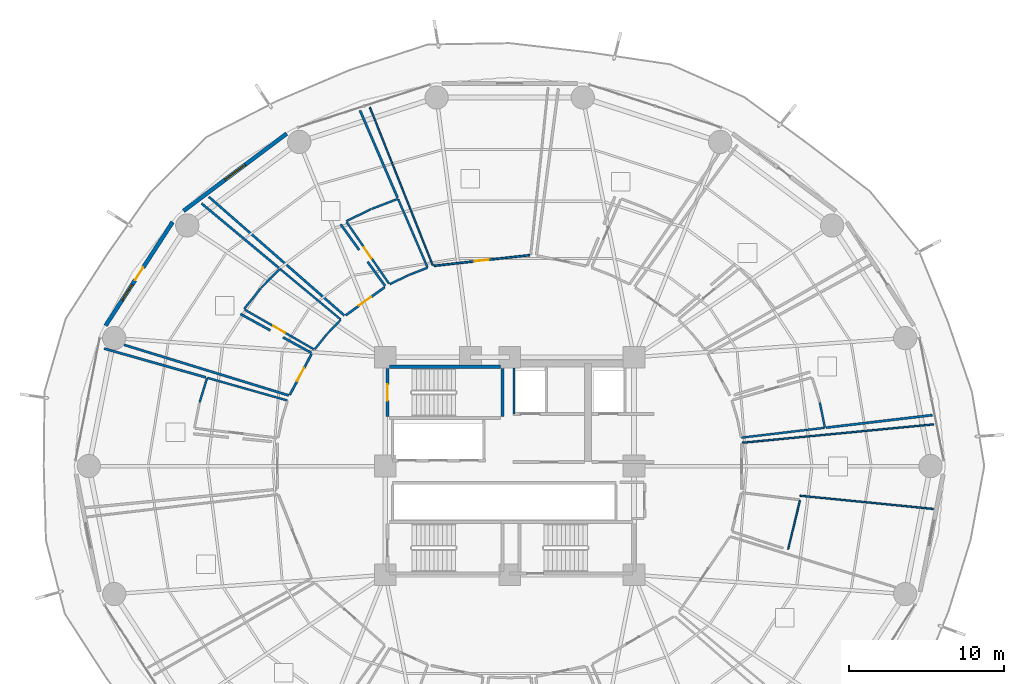
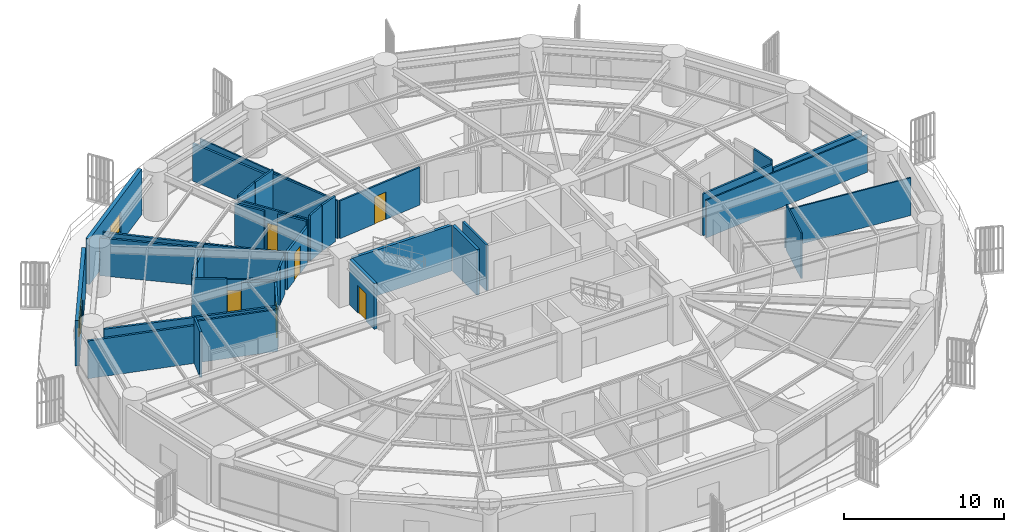
# One storey, part 25 of 32: 39 walls, 7 doors, 2 windows, 9 openings.
"""IFC4 building model written with IfcOpenShell, lengths in metres."""

from ifc_helpers import new_model, si_unit, direction, frame, frame_2d, origin, place, context, subcontext, project, spatial, rectangle, extrude, material, layer, layer_set, type_object, element, fill, save


model = new_model("IFC4")

# Units and contexts
model_context = context("Model", 3, precision=1e-05, world=origin(), true_north=direction((0.0, 1.0)))
body_context = subcontext(model_context, "Body", "Model", "MODEL_VIEW")
ifc_project = project(units=[si_unit("LENGTHUNIT", "METRE"), si_unit("AREAUNIT", "SQUARE_METRE"), si_unit("VOLUMEUNIT", "CUBIC_METRE"), si_unit("PLANEANGLEUNIT", "RADIAN"), si_unit("MASSUNIT", "GRAM", prefix="KILO")], contexts=[model_context])

# Site, building, storey
site_placement = place(None, origin())
site = spatial("IfcSite", under=ifc_project, at=site_placement, CompositionType="ELEMENT")
building_placement = place(site_placement, origin())
building = spatial("IfcBuilding", under=site, at=building_placement, Name="Kelanora Arch Commons", CompositionType="ELEMENT")
storey_placement = place(building_placement, frame((0.0, 0.0, 52.5)))
storey = spatial("IfcBuildingStorey", under=building, at=storey_placement, Name="L13", CompositionType="ELEMENT", Elevation=52.5)

# Wall
ifc_material_1 = material(Name="Autoclaved aerated concrete blockwork with fire plaster", Category="masonry")
ifc_layer_1 = layer(ifc_material_1, 0.14990234375)
ifc_layer_set_1 = layer_set([ifc_layer_1], Name="Autoclaved aerated concrete blockwork with fire plaster")
wall_type_1 = type_object("IfcWallType", Name="W-COMP-150", PredefinedType="PARTITIONING", material=ifc_layer_set_1)
wall_1_placement = place(storey_placement, frame((74.280029296875, 61.35009765625, 0.0), z_axis=(0.0, 0.0, 1.0), x_axis=(0.0, 1.0, 0.0)))
element("IfcWall", 1, at=wall_1_placement, inside=storey, type_object=wall_type_1, Name="Firefighting Lift 1 West Shaft Wall L13", PredefinedType="PARTITIONING", context=body_context, shape_type="SweptSolid", body=[
    extrude(rectangle(XDim=2.969970703125, YDim=0.14990234375, at=frame_2d((1.48486328125, 0.0))), origin(), (0.0, 0.0, 1.0), 3.47998046875),
])

# Wall, opening, door
wall_2_placement = place(storey_placement, frame((65.96337890625, 69.510986328125, 0.0), z_axis=(0.0, 0.0, 1.0), x_axis=(-0.811021116066, -0.585016879496, 0.0)))
wall_2 = element("IfcWall", 2, at=wall_2_placement, inside=storey, type_object=wall_type_1, Name="Co-Living Studio L13-05 Entry Partition", PredefinedType="PARTITIONING", context=body_context, shape_type="SweptSolid", body=[
    extrude(rectangle(XDim=3.105712890625, YDim=0.14990234375, at=frame_2d((1.552734375, 0.0))), origin(), (0.0, 0.0, 1.0), 2.875),
])
opening_1_placement = place(wall_2_placement, frame((1.077880859375, 0.0, 0.0)))
opening_1 = element("IfcOpeningElement", 3, at=opening_1_placement, cuts=wall_2, Name="Opening D-CLU1", PredefinedType="OPENING", context=body_context, shape_type="SweptSolid", body=[
    extrude(rectangle(XDim=0.949951171875, YDim=2.080078125, at=frame_2d((0.47509765625, 1.0400390625))), frame((0.0, 0.0849609375, 0.0), z_axis=(0.0, -1.0, 0.0), x_axis=(1.0, 0.0, 0.0)), (0.0, 0.0, 1.0), 0.169921875),
])
ifc_material_2 = material(Name="Solid-core acoustic timber cluster entry fire door", Category="wood")
door_type_1 = type_object("IfcDoorType", Name="D-CLU-95", OperationType="NOTDEFINED", PredefinedType="DOOR", material=ifc_material_2)
door_1_placement = place(opening_1_placement, origin())
door_1 = element("IfcDoor", 4, at=door_1_placement, inside=storey, type_object=door_type_1, Name="Co-Living Studio L13-05 Door", OperationType="SINGLE_SWING_RIGHT", OverallHeight=2.080078125, OverallWidth=0.949951171875, PredefinedType="DOOR", context=body_context, shape_type="SweptSolid", body=[
    extrude(rectangle(XDim=0.949951171875, YDim=2.080078125, at=frame_2d((0.47509765625, 1.0400390625))), frame((0.0, 0.02490234375, 0.0), z_axis=(0.0, -1.0, 0.0), x_axis=(1.0, 0.0, 0.0)), (0.0, 0.0, 1.0), 0.050048828125),
])
fill(opening_1, door_1)

wall_3_placement = place(storey_placement, frame((61.250732421875, 65.2060546875, 0.0), z_axis=(0.0, 0.0, 1.0), x_axis=(-0.470332327533, -0.882489377657, 0.0)))
wall_3 = element("IfcWall", 5, at=wall_3_placement, inside=storey, type_object=wall_type_1, Name="Co-Living Studio L13-06 Entry Partition", PredefinedType="PARTITIONING", context=body_context, shape_type="SweptSolid", body=[
    extrude(rectangle(XDim=2.97119140625, YDim=0.14990234375, at=frame_2d((1.485595703125, 0.0))), origin(), (0.0, 0.0, 1.0), 2.875),
])
opening_2_placement = place(wall_3_placement, frame((1.010986328125, 0.0, 0.0)))
opening_2 = element("IfcOpeningElement", 6, at=opening_2_placement, cuts=wall_3, Name="Opening D-CLU1", PredefinedType="OPENING", context=body_context, shape_type="SweptSolid", body=[
    extrude(rectangle(XDim=0.949951171875, YDim=2.080078125, at=frame_2d((0.47509765625, 1.0400390625))), frame((0.0, 0.0849609375, 0.0), z_axis=(0.0, -1.0, 0.0), x_axis=(1.0, 0.0, 0.0)), (0.0, 0.0, 1.0), 0.169921875),
])
door_2_placement = place(opening_2_placement, origin())
door_2 = element("IfcDoor", 7, at=door_2_placement, inside=storey, type_object=door_type_1, Name="Co-Living Studio L13-06 Door", OperationType="SINGLE_SWING_RIGHT", OverallHeight=2.080078125, OverallWidth=0.949951171875, PredefinedType="DOOR", context=body_context, shape_type="SweptSolid", body=[
    extrude(rectangle(XDim=0.949951171875, YDim=2.080078125, at=frame_2d((0.47509765625, 1.0400390625))), frame((0.0, 0.02490234375, 0.0), z_axis=(0.0, -1.0, 0.0), x_axis=(1.0, 0.0, 0.0)), (0.0, 0.0, 1.0), 0.050048828125),
])
fill(opening_2, door_2)

# Walls
wall_4_placement = place(storey_placement, frame((101.1923828125, 61.275390625, 0.0), z_axis=(0.0, 0.0, 1.0), x_axis=(-0.993130233211, -0.117014272133, 0.0)))
element("IfcWall", 8, at=wall_4_placement, inside=storey, type_object=wall_type_1, Name="Co-Living Studio L13-01 Enclosure Partition 5", PredefinedType="PARTITIONING", context=body_context, shape_type="SweptSolid", body=[
    extrude(rectangle(XDim=6.876953125, YDim=0.14990234375, at=frame_2d((3.4384765625, 0.0))), origin(), (0.0, 0.0, 1.0), 2.875),
])
wall_5_placement = place(storey_placement, frame((63.365966796875, 67.685302734375, 0.0), z_axis=(0.0, 0.0, 1.0), x_axis=(-0.752403187404, 0.658702849231, 0.0)))
element("IfcWall", 9, at=wall_5_placement, inside=storey, type_object=wall_type_1, Name="Co-Living Studio L13-05 Enclosure Partition 2", PredefinedType="PARTITIONING", context=body_context, shape_type="SweptSolid", body=[
    extrude(rectangle(XDim=11.5947265625, YDim=0.14990234375, at=frame_2d((5.79736328125, 0.0))), origin(), (0.0, 0.0, 1.0), 2.875),
])
wall_6_placement = place(storey_placement, frame((64.36669921875, 80.88427734375, 0.0), z_axis=(0.0, 0.0, 1.0), x_axis=(0.395282873179, -0.918559442917, 0.0)))
element("IfcWall", 10, at=wall_6_placement, inside=storey, type_object=wall_type_1, Name="Co-Living Studio L13-05 Enclosure Partition 5", PredefinedType="PARTITIONING", context=body_context, shape_type="SweptSolid", body=[
    extrude(rectangle(XDim=6.11328125, YDim=0.14990234375, at=frame_2d((3.056640625, 0.0))), origin(), (0.0, 0.0, 1.0), 2.875),
])
wall_7_placement = place(storey_placement, frame((63.123291015625, 73.5576171875, 0.0), z_axis=(0.0, 0.0, 1.0), x_axis=(0.58432672942, -0.811518498425, 0.0)))
element("IfcWall", 11, at=wall_7_placement, inside=storey, type_object=wall_type_1, Name="Co-Living Studio L13-05 Enclosure Partition 7", PredefinedType="PARTITIONING", context=body_context, shape_type="SweptSolid", body=[
    extrude(rectangle(XDim=2.046142578125, YDim=0.14990234375, at=frame_2d((1.02294921875, 0.0))), origin(), (0.0, 0.0, 1.0), 3.175048828125),
])
wall_8_placement = place(storey_placement, frame((64.856689453125, 71.150634765625, 0.0), z_axis=(0.0, 0.0, 1.0), x_axis=(0.584298085417, -0.811539122519, 0.0)))
element("IfcWall", 12, at=wall_8_placement, inside=storey, type_object=wall_type_1, Name="Co-Living Studio L13-05 Enclosure Partition 7", PredefinedType="PARTITIONING", context=body_context, shape_type="SweptSolid", body=[
    extrude(rectangle(XDim=1.93701171875, YDim=0.14990234375, at=frame_2d((0.968505859375, 0.0))), origin(), (0.0, 0.0, 1.0), 3.235107421875),
])
wall_9_placement = place(storey_placement, frame((59.786865234375, 62.542724609375, 0.0), z_axis=(0.0, 0.0, 1.0), x_axis=(-0.955941269752, 0.29355798198, 0.0)))
element("IfcWall", 13, at=wall_9_placement, inside=storey, type_object=wall_type_1, Name="Co-Living Studio L13-06 Enclosure Partition 2", PredefinedType="PARTITIONING", context=body_context, shape_type="SweptSolid", body=[
    extrude(rectangle(XDim=11.08349609375, YDim=0.14990234375, at=frame_2d((5.541748046875, 0.0))), origin(), (0.0, 0.0, 1.0), 3.175048828125),
])
wall_10_placement = place(storey_placement, frame((54.172607421875, 74.896484375, 0.0), z_axis=(0.0, 0.0, 1.0), x_axis=(0.768100814479, -0.640328930157, 0.0)))
element("IfcWall", 14, at=wall_10_placement, inside=storey, type_object=wall_type_1, Name="Co-Living Studio L13-06 Enclosure Partition 5", PredefinedType="PARTITIONING", context=body_context, shape_type="SweptSolid", body=[
    extrude(rectangle(XDim=6.479248046875, YDim=0.14990234375, at=frame_2d((3.23974609375, 0.0))), origin(), (0.0, 0.0, 1.0), 2.875),
])
wall_11_placement = place(storey_placement, frame((56.677978515625, 67.78271484375, 0.0), z_axis=(0.0, 0.0, 1.0), x_axis=(0.876780673324, -0.480890477017, 0.0)))
element("IfcWall", 15, at=wall_11_placement, inside=storey, type_object=wall_type_1, Name="Co-Living Studio L13-06 Enclosure Partition 7", PredefinedType="PARTITIONING", context=body_context, shape_type="SweptSolid", body=[
    extrude(rectangle(XDim=2.197265625, YDim=0.14990234375, at=frame_2d((1.0986328125, 0.0))), origin(), (0.0, 0.0, 1.0), 3.175048828125),
])
wall_12_placement = place(storey_placement, frame((59.411376953125, 66.283447265625, 0.0), z_axis=(0.0, 0.0, 1.0), x_axis=(0.876772690424, -0.480905031505, 0.0)))
element("IfcWall", 16, at=wall_12_placement, inside=storey, type_object=wall_type_1, Name="Co-Living Studio L13-06 Enclosure Partition 7", PredefinedType="PARTITIONING", context=body_context, shape_type="SweptSolid", body=[
    extrude(rectangle(XDim=2.090087890625, YDim=0.14990234375, at=frame_2d((1.044921875, 0.0))), origin(), (0.0, 0.0, 1.0), 2.875),
])
wall_13_placement = place(storey_placement, frame((47.905517578125, 65.56005859375, 0.0), z_axis=(0.0, 0.0, 1.0), x_axis=(0.962107451281, -0.272670592821, 0.0)))
element("IfcWall", 17, at=wall_13_placement, inside=storey, type_object=wall_type_1, Name="Co-Living Studio L13-07 Enclosure Partition 5", PredefinedType="PARTITIONING", context=body_context, shape_type="SweptSolid", body=[
    extrude(rectangle(XDim=6.81103515625, YDim=0.14990234375, at=frame_2d((3.405517578125, 0.0))), origin(), (0.0, 0.0, 1.0), 2.875),
])

# Wall, opening, window
ifc_material_3 = material(Name="Precast concrete C40/50 with terracotta rainscreen", Category="masonry")
ifc_layer_2 = layer(ifc_material_3, 0.260009765625)
ifc_layer_set_2 = layer_set([ifc_layer_2], Name="Precast concrete C40/50 with terracotta rainscreen")
wall_type_2 = type_object("IfcWallType", Name="W-EXT-TC", PredefinedType="SOLIDWALL", material=ifc_layer_set_2)
wall_14_placement = place(storey_placement, frame((59.651123046875, 79.38916015625, 0.0), z_axis=(0.0, 0.0, 1.0), x_axis=(-0.80030733173, -0.599590005569, 0.0)))
wall_14 = element("IfcWall", 18, at=wall_14_placement, inside=storey, type_object=wall_type_2, Name="Terracotta Exterior Wall L13-B06", PredefinedType="SOLIDWALL", context=body_context, shape_type="SweptSolid", body=[
    extrude(rectangle(XDim=8.29052734375, YDim=0.260009765625, at=frame_2d((4.145263671875, 0.0))), origin(), (0.0, 0.0, 1.0), 3.47509765625),
])
opening_3_placement = place(wall_14_placement, frame((3.344970703125, 0.0, 0.85009765625)))
opening_3 = element("IfcOpeningElement", 19, at=opening_3_placement, cuts=wall_14, Name="Opening WN-01", PredefinedType="OPENING", context=body_context, shape_type="SweptSolid", body=[
    extrude(rectangle(XDim=1.60009765625, YDim=1.449951171875, at=frame_2d((0.800048828125, 0.72509765625))), frame((0.0, 0.14013671875, 0.0), z_axis=(0.0, -1.0, 0.0), x_axis=(1.0, 0.0, 0.0)), (0.0, 0.0, 1.0), 0.280029296875),
])
ifc_material_4 = material(Name="Terracotta-anodised aluminium frame with operable low-E glazing", Category="masonry")
window_type_1 = type_object("IfcWindowType", Name="WIN-CL-18", PartitioningType="DOUBLE_PANEL_VERTICAL", PredefinedType="WINDOW", material=ifc_material_4)
window_1_placement = place(opening_3_placement, origin())
window_1 = element("IfcWindow", 20, at=window_1_placement, inside=storey, type_object=window_type_1, Name="Co-Living Operable Window L13-B06", OverallHeight=1.449951171875, OverallWidth=1.60009765625, PartitioningType="SINGLE_PANEL", PredefinedType="WINDOW", context=body_context, shape_type="SweptSolid", body=[
    extrude(rectangle(XDim=1.60009765625, YDim=1.449951171875, at=frame_2d((0.800048828125, 0.72509765625))), frame((0.0, 0.030029296875, 0.0), z_axis=(0.0, -1.0, 0.0), x_axis=(1.0, 0.0, 0.0)), (0.0, 0.0, 1.0), 0.06005859375),
])
fill(opening_3, window_1)

# Wall, openings, door, window
wall_15_placement = place(storey_placement, frame((52.310791015625, 73.698486328125, 0.0), z_axis=(0.0, 0.0, 1.0), x_axis=(-0.543005114258, -0.839729388488, 0.0)))
wall_15 = element("IfcWall", 21, at=wall_15_placement, inside=storey, type_object=wall_type_2, Name="Terracotta Exterior Wall L13-B07", PredefinedType="SOLIDWALL", context=body_context, shape_type="SweptSolid", body=[
    extrude(rectangle(XDim=7.9375, YDim=0.260009765625, at=frame_2d((3.96875, 0.0))), origin(), (0.0, 0.0, 1.0), 3.47509765625),
])
opening_4_placement = place(wall_15_placement, frame((3.493896484375, 0.0, 0.0)))
opening_4 = element("IfcOpeningElement", 22, at=opening_4_placement, cuts=wall_15, Name="Opening DB-01", PredefinedType="OPENING", context=body_context, shape_type="SweptSolid", body=[
    extrude(rectangle(XDim=0.949951171875, YDim=2.10009765625, at=frame_2d((0.47509765625, 1.050048828125))), frame((0.0, 0.14013671875, 0.0), z_axis=(0.0, -1.0, 0.0), x_axis=(1.0, 0.0, 0.0)), (0.0, 0.0, 1.0), 0.280029296875),
])
opening_5_placement = place(wall_15_placement, frame((4.7939453125, 0.0, 0.85009765625)))
opening_5 = element("IfcOpeningElement", 23, at=opening_5_placement, cuts=wall_15, Name="Opening WN-02", PredefinedType="OPENING", context=body_context, shape_type="SweptSolid", body=[
    extrude(rectangle(XDim=1.199951171875, YDim=1.449951171875, at=frame_2d((0.60009765625, 0.72509765625))), frame((0.0, 0.14013671875, 0.0), z_axis=(0.0, -1.0, 0.0), x_axis=(1.0, 0.0, 0.0)), (0.0, 0.0, 1.0), 0.280029296875),
])
ifc_material_5 = material(Name="Terracotta-aluminium thermally broken glazed balcony door", Category="masonry")
door_type_2 = type_object("IfcDoorType", Name="D-BAL-10", OperationType="NOTDEFINED", PredefinedType="DOOR", material=ifc_material_5)
door_3_placement = place(opening_4_placement, frame((0.949951171875, 0.0, 0.0), z_axis=(0.0, 0.0, 1.0), x_axis=(-1.0, 0.0, 0.0)))
door_3 = element("IfcDoor", 24, at=door_3_placement, inside=storey, type_object=door_type_2, Name="Wave Balcony Door L13-B07", OperationType="SINGLE_SWING_LEFT", OverallHeight=2.10009765625, OverallWidth=0.949951171875, PredefinedType="DOOR", context=body_context, shape_type="SweptSolid", body=[
    extrude(rectangle(XDim=0.949951171875, YDim=2.10009765625, at=frame_2d((0.47509765625, 1.050048828125))), frame((0.0, 0.02490234375, 0.0), z_axis=(0.0, -1.0, 0.0), x_axis=(1.0, 0.0, 0.0)), (0.0, 0.0, 1.0), 0.050048828125),
])
fill(opening_4, door_3)
ifc_material_6 = material(Name="Terracotta-anodised aluminium frame with operable awning sash", Category="masonry")
window_type_2 = type_object("IfcWindowType", Name="WIN-CL-12", PartitioningType="SINGLE_PANEL", PredefinedType="WINDOW", material=ifc_material_6)
window_2_placement = place(opening_5_placement, origin())
window_2 = element("IfcWindow", 25, at=window_2_placement, inside=storey, type_object=window_type_2, Name="Co-Living Operable Window L13-B07", OverallHeight=1.449951171875, OverallWidth=1.199951171875, PartitioningType="SINGLE_PANEL", PredefinedType="WINDOW", context=body_context, shape_type="SweptSolid", body=[
    extrude(rectangle(XDim=1.199951171875, YDim=1.449951171875, at=frame_2d((0.60009765625, 0.72509765625))), frame((0.0, 0.030029296875, 0.0), z_axis=(0.0, -1.0, 0.0), x_axis=(1.0, 0.0, 0.0)), (0.0, 0.0, 1.0), 0.06005859375),
])
fill(opening_5, window_2)

# Walls
ifc_material_7 = material(Name="Lightweight fire-rated acoustic stud partition")
ifc_layer_3 = layer(ifc_material_7, 0.10009765625)
ifc_layer_set_3 = layer_set([ifc_layer_3], Name="Lightweight fire-rated acoustic stud partition")
wall_type_3 = type_object("IfcWallType", Name="W-PART-100", PredefinedType="PARTITIONING", material=ifc_layer_set_3)
wall_16_placement = place(storey_placement, frame((69.05322265625, 70.912109375, 0.0), z_axis=(0.0, 0.0, 1.0), x_axis=(-0.370325956987, 0.928901870803, 0.0)))
element("IfcWall", 26, at=wall_16_placement, inside=storey, type_object=wall_type_3, Name="Communal Dining and Social Hall L13-04 Enclosure Partition 2", PredefinedType="PARTITIONING", context=body_context, shape_type="SweptSolid", body=[
    extrude(rectangle(XDim=10.95361328125, YDim=0.10009765625, at=frame_2d((5.476806640625, 0.0))), origin(), (0.0, 0.0, 1.0), 2.875),
])
wall_17_placement = place(storey_placement, frame((92.672607421875, 55.783203125, 0.0), z_axis=(0.0, 0.0, 1.0), x_axis=(-0.234509762348, -0.97211376462, 0.0)))
element("IfcWall", 27, at=wall_17_placement, inside=storey, type_object=wall_type_3, Name="Student Laundry Room L13-14 Enclosure Partition 3", PredefinedType="PARTITIONING", context=body_context, shape_type="SweptSolid", body=[
    extrude(rectangle(XDim=3.22412109375, YDim=0.10009765625, at=frame_2d((1.612060546875, 0.0))), origin(), (0.0, 0.0, 1.0), 3.47998046875),
])
wall_18_placement = place(storey_placement, frame((88.978759765625, 59.499755859375, 0.0), z_axis=(0.0, 0.0, 1.0), x_axis=(0.995408087514, 0.095722198638, 0.0)))
element("IfcWall", 28, at=wall_18_placement, inside=storey, type_object=wall_type_3, Name="Quiet Reading Carrel L13-14 Enclosure Partition 2", PredefinedType="PARTITIONING", context=body_context, shape_type="SweptSolid", body=[
    extrude(rectangle(XDim=12.35205078125, YDim=0.10009765625, at=frame_2d((6.176025390625, 0.0))), origin(), (0.0, 0.0, 1.0), 2.875),
])
wall_19_placement = place(storey_placement, frame((101.26416015625, 55.240966796875, 0.0), z_axis=(0.0, 0.0, 1.0), x_axis=(-0.995131682946, 0.098554216532, 0.0)))
element("IfcWall", 29, at=wall_19_placement, inside=storey, type_object=wall_type_3, Name="Quiet Reading Carrel L13-14 Enclosure Partition 4", PredefinedType="PARTITIONING", context=body_context, shape_type="SweptSolid", body=[
    extrude(rectangle(XDim=8.630615234375, YDim=0.10009765625, at=frame_2d((4.3154296875, 0.0))), origin(), (0.0, 0.0, 1.0), 2.875),
])

# Wall, opening, door
ifc_material_8 = material(Name="Acoustic twin-stud fire-rated gypsum partition")
ifc_layer_4 = layer(ifc_material_8, 0.1201171875)
ifc_layer_set_4 = layer_set([ifc_layer_4], Name="Acoustic twin-stud fire-rated gypsum partition")
wall_type_4 = type_object("IfcWallType", Name="W-PART-120", PredefinedType="PARTITIONING", material=ifc_layer_set_4)
wall_20_placement = place(storey_placement, frame((75.29150390625, 71.568359375, 0.0), z_axis=(0.0, 0.0, 1.0), x_axis=(-0.993850084324, -0.110733959964, 0.0)))
wall_20 = element("IfcWall", 30, at=wall_20_placement, inside=storey, type_object=wall_type_4, Name="Communal Dining and Social Hall L13-04 Entry Partition", PredefinedType="PARTITIONING", context=body_context, shape_type="SweptSolid", body=[
    extrude(rectangle(XDim=6.201904296875, YDim=0.1201171875, at=frame_2d((3.10107421875, 0.0))), origin(), (0.0, 0.0, 1.0), 2.875),
])
opening_6_placement = place(wall_20_placement, frame((2.65087890625, 0.0, 0.0)))
opening_6 = element("IfcOpeningElement", 31, at=opening_6_placement, cuts=wall_20, Name="Opening D-RM1", PredefinedType="OPENING", context=body_context, shape_type="SweptSolid", body=[
    extrude(rectangle(XDim=0.89990234375, YDim=2.080078125, at=frame_2d((0.449951171875, 1.0400390625))), frame((0.0, 0.070068359375, 0.0), z_axis=(0.0, -1.0, 0.0), x_axis=(1.0, 0.0, 0.0)), (0.0, 0.0, 1.0), 0.14013671875),
])
ifc_material_9 = material(Name="Acoustic fire-rated timber study and lounge door", Category="wood")
door_type_3 = type_object("IfcDoorType", Name="D-ROOM-90", OperationType="NOTDEFINED", PredefinedType="DOOR", material=ifc_material_9)
door_4_placement = place(opening_6_placement, origin())
door_4 = element("IfcDoor", 32, at=door_4_placement, inside=storey, type_object=door_type_3, Name="Communal Dining and Social Hall L13-04 Door", OperationType="SINGLE_SWING_RIGHT", OverallHeight=2.080078125, OverallWidth=0.89990234375, PredefinedType="DOOR", context=body_context, shape_type="SweptSolid", body=[
    extrude(rectangle(XDim=0.89990234375, YDim=2.080078125, at=frame_2d((0.449951171875, 1.0400390625))), frame((0.0, 0.02490234375, 0.0), z_axis=(0.0, -1.0, 0.0), x_axis=(1.0, 0.0, 0.0)), (0.0, 0.0, 1.0), 0.050048828125),
])
fill(opening_6, door_4)

# Walls
ifc_material_10 = material(Name="Concrete C40/50", Category="concrete")
ifc_layer_5 = layer(ifc_material_10, 0.199951171875)
ifc_layer_set_5 = layer_set([ifc_layer_5], Name="Concrete C40/50")
wall_type_5 = type_object("IfcWallType", Name="W-STAIR-200", PredefinedType="SHEAR", material=ifc_layer_set_5)
wall_21_placement = place(storey_placement, frame((73.5400390625, 61.199951171875, 0.0), z_axis=(0.0, 0.0, 1.0), x_axis=(0.0, 1.0, 0.0)))
element("IfcWall", 33, at=wall_21_placement, inside=storey, type_object=wall_type_5, Name="Stair ST-T1 Shaft Wall E L13", PredefinedType="SHEAR", context=body_context, shape_type="SweptSolid", body=[
    extrude(rectangle(XDim=3.070068359375, YDim=0.199951171875, at=frame_2d((1.53515625, 0.0))), origin(), (0.0, 0.0, 1.0), 3.489990234375),
])
wall_22_placement = place(storey_placement, frame((73.419921875, 64.389892578125, 0.0), z_axis=(0.0, 0.0, 1.0), x_axis=(-1.0, 0.0, 0.0)))
element("IfcWall", 34, at=wall_22_placement, inside=storey, type_object=wall_type_5, Name="Stair ST-T1 Shaft Wall N L13", PredefinedType="SHEAR", context=body_context, shape_type="SweptSolid", body=[
    extrude(rectangle(XDim=7.159912109375, YDim=0.199951171875, at=frame_2d((3.580078125, 0.0))), origin(), (0.0, 0.0, 1.0), 3.489990234375),
])

# Wall, opening, door
wall_23_placement = place(storey_placement, frame((66.139892578125, 64.27001953125, 0.0), z_axis=(0.0, 0.0, 1.0), x_axis=(0.0, -1.0, 0.0)))
wall_23 = element("IfcWall", 35, at=wall_23_placement, inside=storey, type_object=wall_type_5, Name="Stair ST-T1 Shaft Wall W L13", PredefinedType="SHEAR", context=body_context, shape_type="SweptSolid", body=[
    extrude(rectangle(XDim=3.070068359375, YDim=0.199951171875, at=frame_2d((1.53515625, 0.0))), origin(), (0.0, 0.0, 1.0), 3.489990234375),
])
opening_7_placement = place(wall_23_placement, frame((1.010009765625, 0.0, 0.0)))
opening_7 = element("IfcOpeningElement", 36, at=opening_7_placement, cuts=wall_23, Name="Opening D-ST1", PredefinedType="OPENING", context=body_context, shape_type="SweptSolid", body=[
    extrude(rectangle(XDim=1.050048828125, YDim=2.10009765625, at=frame_2d((0.52490234375, 1.050048828125))), frame((0.0, 0.10986328125, 0.0), z_axis=(0.0, -1.0, 0.0), x_axis=(1.0, 0.0, 0.0)), (0.0, 0.0, 1.0), 0.219970703125),
])
ifc_material_11 = material(Name="Steel fire-rated stairwell escape door", Category="steel")
door_type_4 = type_object("IfcDoorType", Name="D-STAIR-110", OperationType="NOTDEFINED", PredefinedType="DOOR", material=ifc_material_11)
door_5_placement = place(opening_7_placement, origin())
door_5 = element("IfcDoor", 37, at=door_5_placement, inside=storey, type_object=door_type_4, Name="Stair ST-T1 Escape Door L13", OperationType="SINGLE_SWING_LEFT", OverallHeight=2.10009765625, OverallWidth=1.050048828125, PredefinedType="DOOR", context=body_context, shape_type="SweptSolid", body=[
    extrude(rectangle(XDim=1.050048828125, YDim=2.10009765625, at=frame_2d((0.52490234375, 1.050048828125))), frame((0.0, 0.02490234375, 0.0), z_axis=(0.0, -1.0, 0.0), x_axis=(1.0, 0.0, 0.0)), (0.0, 0.0, 1.0), 0.050048828125),
])
fill(opening_7, door_5)

ifc_material_12 = material(Name="Moisture-resistant fire-rated cement-board plumbing wall")
ifc_layer_6 = layer(ifc_material_12, 0.1298828125)
ifc_layer_set_6 = layer_set([ifc_layer_6], Name="Moisture-resistant fire-rated cement-board plumbing wall")
wall_type_6 = type_object("IfcWallType", Name="W-WET-120", PredefinedType="PLUMBINGWALL", material=ifc_layer_set_6)
wall_24_placement = place(storey_placement, frame((66.235107421875, 69.73828125, 0.0), z_axis=(0.0, 0.0, 1.0), x_axis=(-0.567426867042, 0.823423797664, 0.0)))
wall_24 = element("IfcWall", 38, at=wall_24_placement, inside=storey, type_object=wall_type_6, Name="En-Suite Shower WC L13-05 Entry Partition", PredefinedType="PLUMBINGWALL", context=body_context, shape_type="SweptSolid", body=[
    extrude(rectangle(XDim=4.809326171875, YDim=0.1298828125, at=frame_2d((2.40478515625, 0.0))), origin(), (0.0, 0.0, 1.0), 3.175048828125),
])
opening_8_placement = place(wall_24_placement, frame((1.97509765625, 0.0, 0.0)))
opening_8 = element("IfcOpeningElement", 39, at=opening_8_placement, cuts=wall_24, Name="Opening D-BT1", PredefinedType="OPENING", context=body_context, shape_type="SweptSolid", body=[
    extrude(rectangle(XDim=0.860107421875, YDim=2.050048828125, at=frame_2d((0.43017578125, 1.02490234375))), frame((0.0, 0.074951171875, 0.0), z_axis=(0.0, -1.0, 0.0), x_axis=(1.0, 0.0, 0.0)), (0.0, 0.0, 1.0), 0.14990234375),
])
ifc_material_13 = material(Name="Moisture-sealed fire-rated accessible bathroom door")
door_type_5 = type_object("IfcDoorType", Name="D-BATH-85", OperationType="NOTDEFINED", PredefinedType="DOOR", material=ifc_material_13)
door_6_placement = place(opening_8_placement, origin())
door_6 = element("IfcDoor", 40, at=door_6_placement, inside=storey, type_object=door_type_5, Name="En-Suite Shower WC L13-05 Door", OperationType="SINGLE_SWING_LEFT", OverallHeight=2.050048828125, OverallWidth=0.860107421875, PredefinedType="DOOR", context=body_context, shape_type="SweptSolid", body=[
    extrude(rectangle(XDim=0.860107421875, YDim=2.050048828125, at=frame_2d((0.43017578125, 1.02490234375))), frame((0.0, 0.02490234375, 0.0), z_axis=(0.0, -1.0, 0.0), x_axis=(1.0, 0.0, 0.0)), (0.0, 0.0, 1.0), 0.050048828125),
])
fill(opening_8, door_6)

wall_25_placement = place(storey_placement, frame((61.389892578125, 65.518798828125, 0.0), z_axis=(0.0, 0.0, 1.0), x_axis=(-0.867813964862, 0.496889245598, 0.0)))
wall_25 = element("IfcWall", 41, at=wall_25_placement, inside=storey, type_object=wall_type_6, Name="En-Suite Shower WC L13-06 Entry Partition", PredefinedType="PLUMBINGWALL", context=body_context, shape_type="SweptSolid", body=[
    extrude(rectangle(XDim=5.11474609375, YDim=0.1298828125, at=frame_2d((2.557373046875, 0.0))), origin(), (0.0, 0.0, 1.0), 2.875),
])
opening_9_placement = place(wall_25_placement, frame((2.126953125, 0.0, 0.0)))
opening_9 = element("IfcOpeningElement", 42, at=opening_9_placement, cuts=wall_25, Name="Opening D-BT1", PredefinedType="OPENING", context=body_context, shape_type="SweptSolid", body=[
    extrude(rectangle(XDim=0.860107421875, YDim=2.050048828125, at=frame_2d((0.43017578125, 1.02490234375))), frame((0.0, 0.074951171875, 0.0), z_axis=(0.0, -1.0, 0.0), x_axis=(1.0, 0.0, 0.0)), (0.0, 0.0, 1.0), 0.14990234375),
])
door_7_placement = place(opening_9_placement, origin())
door_7 = element("IfcDoor", 43, at=door_7_placement, inside=storey, type_object=door_type_5, Name="En-Suite Shower WC L13-06 Door", OperationType="SINGLE_SWING_LEFT", OverallHeight=2.050048828125, OverallWidth=0.860107421875, PredefinedType="DOOR", context=body_context, shape_type="SweptSolid", body=[
    extrude(rectangle(XDim=0.860107421875, YDim=2.050048828125, at=frame_2d((0.43017578125, 1.02490234375))), frame((0.0, 0.02490234375, 0.0), z_axis=(0.0, -1.0, 0.0), x_axis=(1.0, 0.0, 0.0)), (0.0, 0.0, 1.0), 0.050048828125),
])
fill(opening_9, door_7)

# Walls
wall_26_placement = place(storey_placement, frame((93.955078125, 62.079345703125, 0.0), z_axis=(0.0, 0.0, 1.0), x_axis=(0.198619685617, -0.980076640108, 0.0)))
element("IfcWall", 44, at=wall_26_placement, inside=storey, type_object=wall_type_6, Name="En-Suite Shower WC L13-01 Enclosure Partition 5", PredefinedType="PLUMBINGWALL", context=body_context, shape_type="SweptSolid", body=[
    extrude(rectangle(XDim=1.631103515625, YDim=0.1298828125, at=frame_2d((0.8154296875, 0.0))), origin(), (0.0, 0.0, 1.0), 3.47998046875),
])
wall_27_placement = place(storey_placement, frame((94.26318359375, 60.458740234375, 0.0), z_axis=(0.0, 0.0, 1.0), x_axis=(-0.993128310231, -0.117030591804, 0.0)))
element("IfcWall", 45, at=wall_27_placement, inside=storey, type_object=wall_type_6, Name="En-Suite Shower WC L13-01 Enclosure Partition 6", PredefinedType="PLUMBINGWALL", context=body_context, shape_type="SweptSolid", body=[
    extrude(rectangle(XDim=5.386474609375, YDim=0.1298828125, at=frame_2d((2.693359375, 0.0))), origin(), (0.0, 0.0, 1.0), 3.175048828125),
])
wall_28_placement = place(storey_placement, frame((68.703369140625, 70.7548828125, 0.0), z_axis=(0.0, 0.0, 1.0), x_axis=(-0.932299479839, -0.361687268082, 0.0)))
element("IfcWall", 46, at=wall_28_placement, inside=storey, type_object=wall_type_6, Name="En-Suite Shower WC L13-05 Enclosure Partition 1", PredefinedType="PLUMBINGWALL", context=body_context, shape_type="SweptSolid", body=[
    extrude(rectangle(XDim=1.30419921875, YDim=0.1298828125, at=frame_2d((0.652099609375, 0.0))), origin(), (0.0, 0.0, 1.0), 3.47998046875),
])
wall_29_placement = place(storey_placement, frame((67.450927734375, 70.26708984375, 0.0), z_axis=(0.0, 0.0, 1.0), x_axis=(-0.898275282077, -0.439433177639, 0.0)))
element("IfcWall", 47, at=wall_29_placement, inside=storey, type_object=wall_type_6, Name="En-Suite Shower WC L13-05 Enclosure Partition 2", PredefinedType="PLUMBINGWALL", context=body_context, shape_type="SweptSolid", body=[
    extrude(rectangle(XDim=1.295654296875, YDim=0.1298828125, at=frame_2d((0.64794921875, 0.0))), origin(), (0.0, 0.0, 1.0), 3.47998046875),
])
wall_30_placement = place(storey_placement, frame((63.489990234375, 73.756591796875, 0.0), z_axis=(0.0, 0.0, 1.0), x_axis=(0.899832096889, 0.436236400829, 0.0)))
element("IfcWall", 48, at=wall_30_placement, inside=storey, type_object=wall_type_6, Name="En-Suite Shower WC L13-05 Enclosure Partition 4", PredefinedType="PLUMBINGWALL", context=body_context, shape_type="SweptSolid", body=[
    extrude(rectangle(XDim=1.77587890625, YDim=0.1298828125, at=frame_2d((0.887939453125, 0.0))), origin(), (0.0, 0.0, 1.0), 3.47998046875),
])
wall_31_placement = place(storey_placement, frame((65.124755859375, 74.547119140625, 0.0), z_axis=(0.0, 0.0, 1.0), x_axis=(0.93361980904, 0.35826533766, 0.0)))
element("IfcWall", 49, at=wall_31_placement, inside=storey, type_object=wall_type_6, Name="En-Suite Shower WC L13-05 Enclosure Partition 5", PredefinedType="PLUMBINGWALL", context=body_context, shape_type="SweptSolid", body=[
    extrude(rectangle(XDim=1.7880859375, YDim=0.1298828125, at=frame_2d((0.89404296875, 0.0))), origin(), (0.0, 0.0, 1.0), 3.47998046875),
])
wall_32_placement = place(storey_placement, frame((66.82080078125, 75.176513671875, 0.0), z_axis=(0.0, 0.0, 1.0), x_axis=(0.395562338017, -0.918439130668, 0.0)))
element("IfcWall", 50, at=wall_32_placement, inside=storey, type_object=wall_type_6, Name="En-Suite Shower WC L13-05 Enclosure Partition 6", PredefinedType="PLUMBINGWALL", context=body_context, shape_type="SweptSolid", body=[
    extrude(rectangle(XDim=4.786376953125, YDim=0.1298828125, at=frame_2d((2.39306640625, 0.0))), origin(), (0.0, 0.0, 1.0), 3.175048828125),
])
wall_33_placement = place(storey_placement, frame((63.125, 67.40771484375, 0.0), z_axis=(0.0, 0.0, 1.0), x_axis=(-0.693342211096, -0.720608477824, 0.0)))
element("IfcWall", 51, at=wall_33_placement, inside=storey, type_object=wall_type_6, Name="En-Suite Shower WC L13-06 Enclosure Partition 1", PredefinedType="PLUMBINGWALL", context=body_context, shape_type="SweptSolid", body=[
    extrude(rectangle(XDim=1.253662109375, YDim=0.1298828125, at=frame_2d((0.626953125, 0.0))), origin(), (0.0, 0.0, 1.0), 2.875),
])
wall_34_placement = place(storey_placement, frame((62.2294921875, 66.474365234375, 0.0), z_axis=(0.0, 0.0, 1.0), x_axis=(-0.624263214868, -0.781214079854, 0.0)))
element("IfcWall", 52, at=wall_34_placement, inside=storey, type_object=wall_type_6, Name="En-Suite Shower WC L13-06 Enclosure Partition 2", PredefinedType="PLUMBINGWALL", context=body_context, shape_type="SweptSolid", body=[
    extrude(rectangle(XDim=1.2412109375, YDim=0.1298828125, at=frame_2d((0.62060546875, 0.0))), origin(), (0.0, 0.0, 1.0), 2.875),
])
wall_35_placement = place(storey_placement, frame((56.91162109375, 68.105712890625, 0.0), z_axis=(0.0, 0.0, 1.0), x_axis=(0.628152519701, 0.778090233837, 0.0)))
element("IfcWall", 53, at=wall_35_placement, inside=storey, type_object=wall_type_6, Name="En-Suite Shower WC L13-06 Enclosure Partition 4", PredefinedType="PLUMBINGWALL", context=body_context, shape_type="SweptSolid", body=[
    extrude(rectangle(XDim=1.693359375, YDim=0.1298828125, at=frame_2d((0.8466796875, 0.0))), origin(), (0.0, 0.0, 1.0), 3.175048828125),
])
wall_36_placement = place(storey_placement, frame((58.001953125, 69.453369140625, 0.0), z_axis=(0.0, 0.0, 1.0), x_axis=(0.697337129747, 0.716743278641, 0.0)))
element("IfcWall", 54, at=wall_36_placement, inside=storey, type_object=wall_type_6, Name="En-Suite Shower WC L13-06 Enclosure Partition 5", PredefinedType="PLUMBINGWALL", context=body_context, shape_type="SweptSolid", body=[
    extrude(rectangle(XDim=1.7109375, YDim=0.1298828125, at=frame_2d((0.85546875, 0.0))), origin(), (0.0, 0.0, 1.0), 2.875),
])
wall_37_placement = place(storey_placement, frame((59.224365234375, 70.68115234375, 0.0), z_axis=(0.0, 0.0, 1.0), x_axis=(0.768509127281, -0.63983882446, 0.0)))
element("IfcWall", 55, at=wall_37_placement, inside=storey, type_object=wall_type_6, Name="En-Suite Shower WC L13-06 Enclosure Partition 6", PredefinedType="PLUMBINGWALL", context=body_context, shape_type="SweptSolid", body=[
    extrude(rectangle(XDim=5.07373046875, YDim=0.1298828125, at=frame_2d((2.536865234375, 0.0))), origin(), (0.0, 0.0, 1.0), 3.175048828125),
])
wall_38_placement = place(storey_placement, frame((54.0478515625, 62.092041015625, 0.0), z_axis=(0.0, 0.0, 1.0), x_axis=(0.293405839872, 0.955987977502, 0.0)))
element("IfcWall", 56, at=wall_38_placement, inside=storey, type_object=wall_type_6, Name="En-Suite Shower WC L13-07 Enclosure Partition 5", PredefinedType="PLUMBINGWALL", context=body_context, shape_type="SweptSolid", body=[
    extrude(rectangle(XDim=1.64013671875, YDim=0.1298828125, at=frame_2d((0.820068359375, 0.0))), origin(), (0.0, 0.0, 1.0), 3.47998046875),
])
wall_39_placement = place(storey_placement, frame((54.55419921875, 63.673583984375, 0.0), z_axis=(0.0, 0.0, 1.0), x_axis=(0.962194506937, -0.272363233238, 0.0)))
element("IfcWall", 57, at=wall_39_placement, inside=storey, type_object=wall_type_6, Name="En-Suite Shower WC L13-07 Enclosure Partition 6", PredefinedType="PLUMBINGWALL", context=body_context, shape_type="SweptSolid", body=[
    extrude(rectangle(XDim=5.335205078125, YDim=0.1298828125, at=frame_2d((2.66748046875, 0.0))), origin(), (0.0, 0.0, 1.0), 3.175048828125),
])

save(model, "model.ifc")
